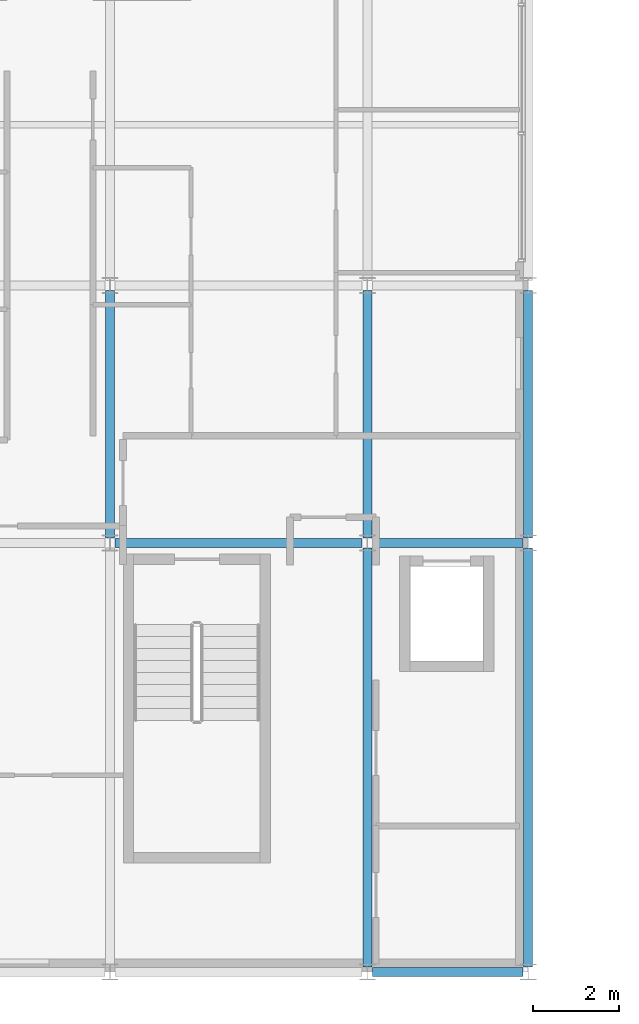
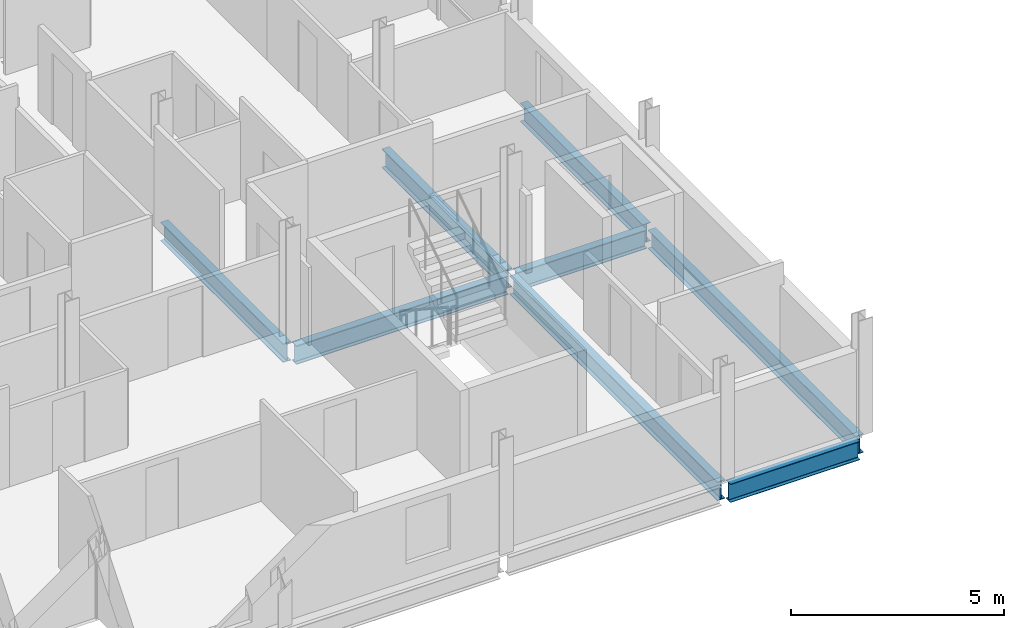
# One storey, part 5 of 30: 8 beams.
"""IFC4 building model written with IfcOpenShell, lengths in metres."""

from ifc_helpers import new_model, si_unit, direction, frame, origin, origin_2d, place, context, subcontext, project, spatial, i_section, extrude, material, material_profile, profile_set, type_object, element, save


model = new_model("IFC4")

# Units and contexts
model_context = context("Model", 3, precision=1e-05, world=origin(), true_north=direction((0.0, 1.0)))
body_context = subcontext(model_context, "Body", "Model", "MODEL_VIEW")
ifc_project = project(units=[si_unit("LENGTHUNIT", "METRE"), si_unit("AREAUNIT", "SQUARE_METRE"), si_unit("VOLUMEUNIT", "CUBIC_METRE"), si_unit("PLANEANGLEUNIT", "RADIAN"), si_unit("MASSUNIT", "GRAM", prefix="KILO")], contexts=[model_context])

# Site, building, storey
site_placement = place(None, origin())
site = spatial("IfcSite", under=ifc_project, at=site_placement, CompositionType="ELEMENT")
building_placement = place(site_placement, origin())
building = spatial("IfcBuilding", under=site, at=building_placement, Name="Brevholm Reach", CompositionType="ELEMENT")
storey_placement = place(building_placement, frame((0.0, 0.0, 211.10009765625)))
storey = spatial("IfcBuildingStorey", under=building, at=storey_placement, Name="L64", CompositionType="ELEMENT", Elevation=211.10009765625)

# Beams
ifc_material_1 = material(Name="Structural Steel S355J2", Category="steel")
ifc_material_profile_1 = material_profile(ifc_material_1, i_section(OverallWidth=0.209228515625, OverallDepth=0.533203125, WebThickness=0.010009765625, FlangeThickness=0.015625, FilletRadius=0.0126953125, at=origin_2d()), Name="UKB 533x210x92")
ifc_profile_set_1 = profile_set([ifc_material_profile_1], Name="Structural Steel S355J2")
beam_type_1 = type_object("IfcBeamType", Name="BM-SP533", PredefinedType="SPANDREL", material=ifc_profile_set_1)
beam_1_placement = place(storey_placement, frame((18.1201171875, 0.0, -0.4765625), z_axis=(1.0, 0.0, 0.0), x_axis=(0.0, 1.0, 0.0)))
element("IfcBeam", 1, at=beam_1_placement, inside=storey, type_object=beam_type_1, Name="L64 SP-02 Framing Beam", PredefinedType="SPANDREL", context=body_context, shape_type="SweptSolid", body=[
    extrude(i_section(OverallWidth=0.209228515625, OverallDepth=0.533203125, WebThickness=0.010009765625, FlangeThickness=0.015625, FilletRadius=0.0126953125, at=origin_2d()), origin(), (0.0, 0.0, 1.0), 3.509765625),
])
beam_2_placement = place(storey_placement, frame((21.75, 0.1201171875, -0.4765625), z_axis=(0.0, 1.0, 0.0), x_axis=(-1.0, 0.0, 0.0)))
element("IfcBeam", 2, at=beam_2_placement, inside=storey, type_object=beam_type_1, Name="L64 SP-02 Framing Beam", PredefinedType="SPANDREL", context=body_context, shape_type="SweptSolid", body=[
    extrude(i_section(OverallWidth=0.209228515625, OverallDepth=0.533203125, WebThickness=0.010009765625, FlangeThickness=0.015625, FilletRadius=0.0126953125, at=origin_2d()), origin(), (0.0, 0.0, 1.0), 9.759765625),
])
beam_3_placement = place(storey_placement, frame((21.75, 10.1201171875, -0.4765625), z_axis=(0.0, 1.0, 0.0), x_axis=(-1.0, 0.0, 0.0)))
element("IfcBeam", 3, at=beam_3_placement, inside=storey, type_object=beam_type_1, Name="L64 SP-02 Framing Beam", PredefinedType="SPANDREL", context=body_context, shape_type="SweptSolid", body=[
    extrude(i_section(OverallWidth=0.209228515625, OverallDepth=0.533203125, WebThickness=0.010009765625, FlangeThickness=0.015625, FilletRadius=0.0126953125, at=origin_2d()), origin(), (0.0, 0.0, 1.0), 5.759765625),
])
ifc_material_2 = material(Name="Structural Steel S355J2", Category="steel")
ifc_material_profile_2 = material_profile(ifc_material_2, i_section(OverallWidth=0.210693359375, OverallDepth=0.53955078125, WebThickness=0.01171875, FlangeThickness=0.018798828125, FilletRadius=0.0126953125, at=origin_2d()), Name="UKB 533x210x109")
ifc_profile_set_2 = profile_set([ifc_material_profile_2], Name="Structural Steel S355J2")
beam_type_2 = type_object("IfcBeamType", Name="BM-SP539", PredefinedType="SPANDREL", material=ifc_profile_set_2)
beam_4_placement = place(storey_placement, frame((12.1201171875, 10.0, -0.479736328125), z_axis=(1.0, 0.0, 0.0), x_axis=(0.0, 1.0, 0.0)))
element("IfcBeam", 4, at=beam_4_placement, inside=storey, type_object=beam_type_2, Name="L64 SP-01B Framing Beam", PredefinedType="SPANDREL", context=body_context, shape_type="SweptSolid", body=[
    extrude(i_section(OverallWidth=0.210693359375, OverallDepth=0.53955078125, WebThickness=0.01171875, FlangeThickness=0.018798828125, FilletRadius=0.0126953125, at=origin_2d()), origin(), (0.0, 0.0, 1.0), 5.759765625),
])
beam_5_placement = place(storey_placement, frame((18.1201171875, 10.0, -0.479736328125), z_axis=(1.0, 0.0, 0.0), x_axis=(0.0, 1.0, 0.0)))
element("IfcBeam", 5, at=beam_5_placement, inside=storey, type_object=beam_type_2, Name="L64 SP-01B Framing Beam", PredefinedType="SPANDREL", context=body_context, shape_type="SweptSolid", body=[
    extrude(i_section(OverallWidth=0.210693359375, OverallDepth=0.53955078125, WebThickness=0.01171875, FlangeThickness=0.018798828125, FilletRadius=0.0126953125, at=origin_2d()), origin(), (0.0, 0.0, 1.0), 3.509765625),
])
beam_6_placement = place(storey_placement, frame((12.0, 10.1201171875, -0.479736328125), z_axis=(0.0, 1.0, 0.0), x_axis=(-1.0, 0.0, 0.0)))
element("IfcBeam", 6, at=beam_6_placement, inside=storey, type_object=beam_type_2, Name="L64 SP-01B Framing Beam", PredefinedType="SPANDREL", context=body_context, shape_type="SweptSolid", body=[
    extrude(i_section(OverallWidth=0.210693359375, OverallDepth=0.53955078125, WebThickness=0.01171875, FlangeThickness=0.018798828125, FilletRadius=0.0126953125, at=origin_2d()), origin(), (0.0, 0.0, 1.0), 5.759765625),
])
beam_7_placement = place(storey_placement, frame((18.0, 0.1201171875, -0.479736328125), z_axis=(0.0, 1.0, 0.0), x_axis=(-1.0, 0.0, 0.0)))
element("IfcBeam", 7, at=beam_7_placement, inside=storey, type_object=beam_type_2, Name="L64 SP-01B Framing Beam", PredefinedType="SPANDREL", context=body_context, shape_type="SweptSolid", body=[
    extrude(i_section(OverallWidth=0.210693359375, OverallDepth=0.53955078125, WebThickness=0.01171875, FlangeThickness=0.018798828125, FilletRadius=0.0126953125, at=origin_2d()), origin(), (0.0, 0.0, 1.0), 9.759765625),
])
beam_8_placement = place(storey_placement, frame((18.0, 10.1201171875, -0.479736328125), z_axis=(0.0, 1.0, 0.0), x_axis=(-1.0, 0.0, 0.0)))
element("IfcBeam", 8, at=beam_8_placement, inside=storey, type_object=beam_type_2, Name="L64 SP-01B Framing Beam", PredefinedType="SPANDREL", context=body_context, shape_type="SweptSolid", body=[
    extrude(i_section(OverallWidth=0.210693359375, OverallDepth=0.53955078125, WebThickness=0.01171875, FlangeThickness=0.018798828125, FilletRadius=0.0126953125, at=origin_2d()), origin(), (0.0, 0.0, 1.0), 5.759765625),
])

save(model, "model.ifc")
